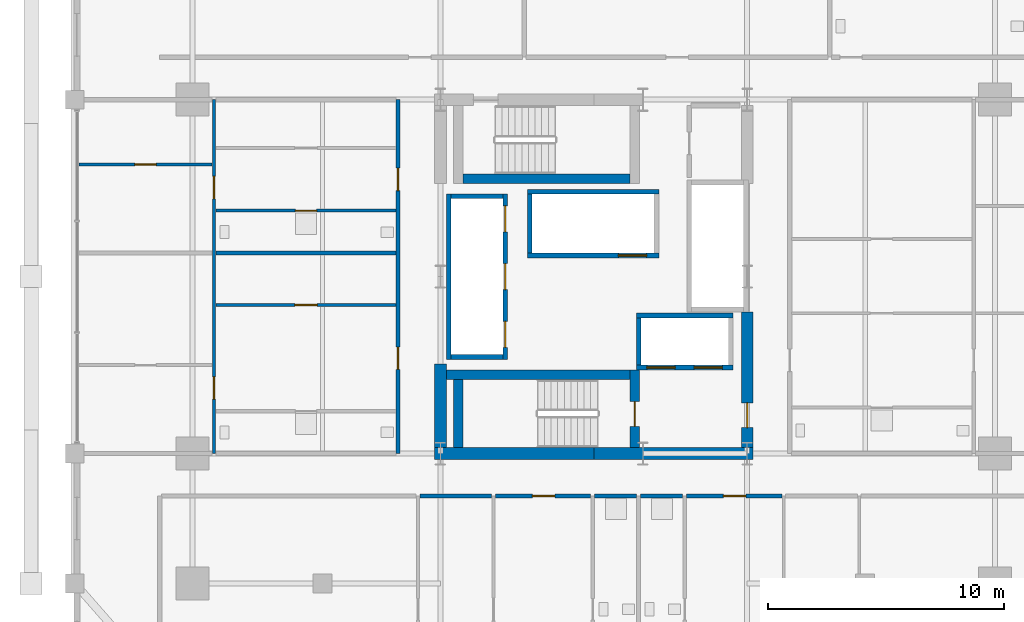
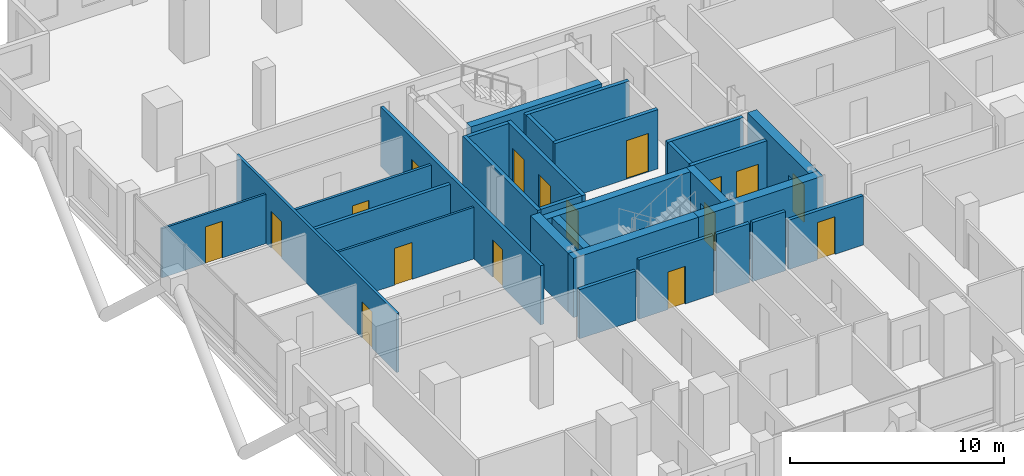
# One storey, part 18 of 23: 29 walls, 17 doors, 17 openings.
"""IFC4 building model written with IfcOpenShell, lengths in metres."""

from ifc_helpers import new_model, si_unit, direction, frame, frame_2d, origin, place, context, subcontext, project, spatial, rectangle, extrude, material, layer, layer_set, type_object, element, fill, save


model = new_model("IFC4")

# Units and contexts
model_context = context("Model", 3, precision=1e-05, world=origin(), true_north=direction((0.0, 1.0)))
body_context = subcontext(model_context, "Body", "Model", "MODEL_VIEW")
ifc_project = project(units=[si_unit("LENGTHUNIT", "METRE"), si_unit("AREAUNIT", "SQUARE_METRE"), si_unit("VOLUMEUNIT", "CUBIC_METRE"), si_unit("PLANEANGLEUNIT", "RADIAN"), si_unit("MASSUNIT", "GRAM", prefix="KILO")], contexts=[model_context])

# Site, building, storey
site_placement = place(None, origin())
site = spatial("IfcSite", under=ifc_project, at=site_placement, CompositionType="ELEMENT")
building_placement = place(site_placement, origin())
building = spatial("IfcBuilding", under=site, at=building_placement, Name="Barlavira Tower and Art Museum", CompositionType="ELEMENT")
storey_placement = place(building_placement, frame((0.0, 0.0, 36.0)))
storey = spatial("IfcBuildingStorey", under=building, at=storey_placement, Name="L07", CompositionType="ELEMENT", Elevation=36.0)

# Wall, opening, door
ifc_material_1 = material(Name="Gypsum acoustic stud partition", Category="gypsum")
ifc_layer_1 = layer(ifc_material_1, 0.1201171875, Name="Gypsum acoustic stud partition")
ifc_layer_set_1 = layer_set([ifc_layer_1], Name="Gypsum acoustic stud partition")
wall_type_1 = type_object("IfcWallType", Name="Apartment Internal Acoustic Partition 120", PredefinedType="PARTITIONING", material=ifc_layer_set_1)
wall_1_placement = place(storey_placement, frame((-16.02001953125, -1.199951171875, 0.0), z_axis=(0.0, 0.0, 1.0), x_axis=(1.0, 0.0, 0.0)))
wall_1 = element("IfcWall", 1, at=wall_1_placement, inside=storey, type_object=wall_type_1, Name="L07 Partition Wall 49", PredefinedType="PARTITIONING", context=body_context, shape_type="SweptSolid", body=[
    extrude(rectangle(XDim=7.64013671875, YDim=0.1201171875, at=frame_2d((3.820068359375, 0.0))), origin(), (0.0, 0.0, 1.0), 2.947998046875),
])
opening_1_placement = place(wall_1_placement, frame((3.344970703125, 0.0, 0.0)))
opening_1 = element("IfcOpeningElement", 2, at=opening_1_placement, cuts=wall_1, Name="Opening D-02", PredefinedType="OPENING", context=body_context, shape_type="SweptSolid", body=[
    extrude(rectangle(XDim=0.949951171875, YDim=2.10009765625, at=frame_2d((0.47509765625, 1.050048828125))), frame((0.0, 0.070068359375, 0.0), z_axis=(0.0, -1.0, 0.0), x_axis=(1.0, 0.0, 0.0)), (0.0, 0.0, 1.0), 0.14013671875),
])
ifc_material_2 = material(Name="Engineered coastal hardwood", Category="wood")
door_type_1 = type_object("IfcDoorType", Name="Living and Salon Glazed-Leaf Door 950x2100", OperationType="NOTDEFINED", PredefinedType="DOOR", material=ifc_material_2)
door_1_placement = place(opening_1_placement, origin())
door_1 = element("IfcDoor", 3, at=door_1_placement, inside=storey, type_object=door_type_1, Name="Apartment W1 Kitchen Door", OperationType="SINGLE_SWING_LEFT", OverallHeight=2.10009765625, OverallWidth=0.949951171875, PredefinedType="DOOR", context=body_context, shape_type="SweptSolid", body=[
    extrude(rectangle(XDim=0.949951171875, YDim=2.10009765625, at=frame_2d((0.47509765625, 1.050048828125))), frame((0.0, 0.02490234375, 0.0), z_axis=(0.0, -1.0, 0.0), x_axis=(1.0, 0.0, 0.0)), (0.0, 0.0, 1.0), 0.050048828125),
])
fill(opening_1, door_1)

wall_2_placement = place(storey_placement, frame((-21.820068359375, 4.75, 0.0), z_axis=(0.0, 0.0, 1.0), x_axis=(1.0, 0.0, 0.0)))
wall_2 = element("IfcWall", 4, at=wall_2_placement, inside=storey, type_object=wall_type_1, Name="L07 Partition Wall 55", PredefinedType="PARTITIONING", context=body_context, shape_type="SweptSolid", body=[
    extrude(rectangle(XDim=5.64013671875, YDim=0.1201171875, at=frame_2d((2.820068359375, 0.0))), origin(), (0.0, 0.0, 1.0), 2.81591796875),
])
opening_2_placement = place(wall_2_placement, frame((2.3701171875, 0.0, 0.0)))
opening_2 = element("IfcOpeningElement", 5, at=opening_2_placement, cuts=wall_2, Name="Opening D-01", PredefinedType="OPENING", context=body_context, shape_type="SweptSolid", body=[
    extrude(rectangle(XDim=0.89990234375, YDim=2.10009765625, at=frame_2d((0.449951171875, 1.050048828125))), frame((0.0, 0.070068359375, 0.0), z_axis=(0.0, -1.0, 0.0), x_axis=(1.0, 0.0, 0.0)), (0.0, 0.0, 1.0), 0.14013671875),
])
door_type_2 = type_object("IfcDoorType", Name="Internal Bedroom Timber Flush Door 900x2100", OperationType="NOTDEFINED", PredefinedType="DOOR", material=ifc_material_2)
door_2_placement = place(opening_2_placement, origin())
door_2 = element("IfcDoor", 6, at=door_2_placement, inside=storey, type_object=door_type_2, Name="Apartment W2 Bedroom 1 Door", OperationType="SINGLE_SWING_RIGHT", OverallHeight=2.10009765625, OverallWidth=0.89990234375, PredefinedType="DOOR", context=body_context, shape_type="SweptSolid", body=[
    extrude(rectangle(XDim=0.89990234375, YDim=2.10009765625, at=frame_2d((0.449951171875, 1.050048828125))), frame((0.0, 0.02490234375, 0.0), z_axis=(0.0, -1.0, 0.0), x_axis=(1.0, 0.0, 0.0)), (0.0, 0.0, 1.0), 0.050048828125),
])
fill(opening_2, door_2)

# Walls
ifc_material_3 = material(Name="Concrete C60", Category="concrete")
ifc_layer_2 = layer(ifc_material_3, 0.5, Name="Concrete C60")
ifc_layer_set_2 = layer_set([ifc_layer_2], Name="Concrete C60")
wall_type_2 = type_object("IfcWallType", Name="Core Structural Shear Wall 500 Concrete C60", PredefinedType="SHEAR", material=ifc_layer_set_2)
for number, where, z_axis, x_axis, name in (
    (7, (-6.75, -7.5, 0.0), (0.0, 0.0, 1.0), (1.0, 0.0, 0.0), "L07 Core Shear Wall CS-SW"),
    (8, (0.0, -7.5, 0.0), (0.0, 0.0, 1.0), (1.0, 0.0, 0.0), "L07 Core Shear Wall CS-SE"),
):
    element("IfcWall", number, at=place(storey_placement, frame(where, z_axis=z_axis, x_axis=x_axis)), inside=storey, type_object=wall_type_2, Name=name, PredefinedType="SHEAR", context=body_context, shape_type="SweptSolid", body=[
        extrude(rectangle(XDim=6.75, YDim=0.5, at=frame_2d((3.375, 0.0))), origin(), (0.0, 0.0, 1.0), 3.3798828125),
    ])
wall_3_placement = place(storey_placement, frame((-6.5, -7.25, 0.0), z_axis=(0.0, 0.0, 1.0), x_axis=(0.0, 1.0, 0.0)))
element("IfcWall", 9, at=wall_3_placement, inside=storey, type_object=wall_type_2, Name="L07 Core Shear Wall CS-W1", PredefinedType="SHEAR", context=body_context, shape_type="SweptSolid", body=[
    extrude(rectangle(XDim=3.550048828125, YDim=0.5, at=frame_2d((1.77490234375, 0.0))), origin(), (0.0, 0.0, 1.0), 3.3798828125),
])

# Wall, opening, door
wall_4_placement = place(storey_placement, frame((6.5, -7.25, 0.0), z_axis=(0.0, 0.0, 1.0), x_axis=(0.0, 1.0, 0.0)))
wall_4 = element("IfcWall", 10, at=wall_4_placement, inside=storey, type_object=wall_type_2, Name="L07 Core Shear Wall CS-E1", PredefinedType="SHEAR", context=body_context, shape_type="SweptSolid", body=[
    extrude(rectangle(XDim=5.75, YDim=0.5, at=frame_2d((2.875, 0.0))), origin(), (0.0, 0.0, 1.0), 3.3798828125),
])
opening_3_placement = place(wall_4_placement, frame((0.85009765625, 0.0, 0.0)))
opening_3 = element("IfcOpeningElement", 11, at=opening_3_placement, cuts=wall_4, Name="Opening FD-90", PredefinedType="OPENING", context=body_context, shape_type="SweptSolid", body=[
    extrude(rectangle(XDim=1.050048828125, YDim=2.14990234375, at=frame_2d((0.52490234375, 1.074951171875))), frame((0.0, 0.260009765625, 0.0), z_axis=(0.0, -1.0, 0.0), x_axis=(1.0, 0.0, 0.0)), (0.0, 0.0, 1.0), 0.52001953125),
])
ifc_material_4 = material(Name="Brushed stainless steel", Category="steel")
door_type_3 = type_object("IfcDoorType", Name="Stair and Refuge Fire Door 1050x2150 FD90S", OperationType="NOTDEFINED", PredefinedType="DOOR", material=ifc_material_4)
door_3_placement = place(opening_3_placement, origin())
door_3 = element("IfcDoor", 12, at=door_3_placement, inside=storey, type_object=door_type_3, Name="L07 Firefighting Lobby Entry Fire Door", OperationType="SINGLE_SWING_LEFT", OverallHeight=2.14990234375, OverallWidth=1.050048828125, PredefinedType="DOOR", context=body_context, shape_type="SweptSolid", body=[
    extrude(rectangle(XDim=1.050048828125, YDim=2.14990234375, at=frame_2d((0.52490234375, 1.074951171875))), frame((0.0, 0.02490234375, 0.0), z_axis=(0.0, -1.0, 0.0), x_axis=(1.0, 0.0, 0.0)), (0.0, 0.0, 1.0), 0.050048828125),
])
fill(opening_3, door_3)

# Wall, openings, doors
ifc_material_5 = material(Name="Autoclaved aerated concrete masonry", Category="masonry")
ifc_layer_3 = layer(ifc_material_5, 0.199951171875, Name="Autoclaved aerated concrete masonry")
ifc_layer_set_3 = layer_set([ifc_layer_3], Name="Autoclaved aerated concrete masonry")
wall_type_3 = type_object("IfcWallType", Name="Fire Compartment and Shaft Wall 200", PredefinedType="SOLIDWALL", material=ifc_layer_set_3)
wall_5_placement = place(storey_placement, frame((-3.75, -3.510009765625, 0.0), z_axis=(0.0, 0.0, 1.0), x_axis=(0.0, 1.0, 0.0)))
wall_5 = element("IfcWall", 13, at=wall_5_placement, inside=storey, type_object=wall_type_3, Name="L07 Low-Rise Lift Front Shaft Wall", PredefinedType="SOLIDWALL", context=body_context, shape_type="SweptSolid", body=[
    extrude(rectangle(XDim=7.02001953125, YDim=0.199951171875, at=frame_2d((3.510009765625, 0.0))), origin(), (0.0, 0.0, 1.0), 3.3798828125),
])
opening_4_placement = place(wall_5_placement, frame((0.510009765625, 0.0, 0.0)))
opening_4 = element("IfcOpeningElement", 14, at=opening_4_placement, cuts=wall_5, Name="Opening LD-P", PredefinedType="OPENING", context=body_context, shape_type="SweptSolid", body=[
    extrude(rectangle(XDim=1.10009765625, YDim=2.14990234375, at=frame_2d((0.550048828125, 1.074951171875))), frame((0.0, 0.10986328125, 0.0), z_axis=(0.0, -1.0, 0.0), x_axis=(1.0, 0.0, 0.0)), (0.0, 0.0, 1.0), 0.219970703125),
])
opening_5_placement = place(wall_5_placement, frame((2.9599609375, 0.0, 0.0)))
opening_5 = element("IfcOpeningElement", 15, at=opening_5_placement, cuts=wall_5, Name="Opening LD-P", PredefinedType="OPENING", context=body_context, shape_type="SweptSolid", body=[
    extrude(rectangle(XDim=1.10009765625, YDim=2.14990234375, at=frame_2d((0.550048828125, 1.074951171875))), frame((0.0, 0.10986328125, 0.0), z_axis=(0.0, -1.0, 0.0), x_axis=(1.0, 0.0, 0.0)), (0.0, 0.0, 1.0), 0.219970703125),
])
opening_6_placement = place(wall_5_placement, frame((5.409912109375, 0.0, 0.0)))
opening_6 = element("IfcOpeningElement", 16, at=opening_6_placement, cuts=wall_5, Name="Opening LD-P", PredefinedType="OPENING", context=body_context, shape_type="SweptSolid", body=[
    extrude(rectangle(XDim=1.10009765625, YDim=2.14990234375, at=frame_2d((0.550048828125, 1.074951171875))), frame((0.0, 0.10986328125, 0.0), z_axis=(0.0, -1.0, 0.0), x_axis=(1.0, 0.0, 0.0)), (0.0, 0.0, 1.0), 0.219970703125),
])
door_type_4 = type_object("IfcDoorType", Name="Passenger Lift Sliding Landing Door 1100x2150 FD60", OperationType="NOTDEFINED", PredefinedType="DOOR", material=ifc_material_4)
door_4_placement = place(opening_4_placement, origin())
door_4 = element("IfcDoor", 17, at=door_4_placement, inside=storey, type_object=door_type_4, Name="L07 Lift PL1 Sliding Landing Door", OperationType="DOUBLE_DOOR_SLIDING", OverallHeight=2.14990234375, OverallWidth=1.10009765625, PredefinedType="DOOR", context=body_context, shape_type="SweptSolid", body=[
    extrude(rectangle(XDim=1.10009765625, YDim=2.14990234375, at=frame_2d((0.550048828125, 1.074951171875))), frame((0.0, 0.02490234375, 0.0), z_axis=(0.0, -1.0, 0.0), x_axis=(1.0, 0.0, 0.0)), (0.0, 0.0, 1.0), 0.050048828125),
])
fill(opening_4, door_4)
door_5_placement = place(opening_5_placement, origin())
door_5 = element("IfcDoor", 18, at=door_5_placement, inside=storey, type_object=door_type_4, Name="L07 Lift PL2 Sliding Landing Door", OperationType="DOUBLE_DOOR_SLIDING", OverallHeight=2.14990234375, OverallWidth=1.10009765625, PredefinedType="DOOR", context=body_context, shape_type="SweptSolid", body=[
    extrude(rectangle(XDim=1.10009765625, YDim=2.14990234375, at=frame_2d((0.550048828125, 1.074951171875))), frame((0.0, 0.02490234375, 0.0), z_axis=(0.0, -1.0, 0.0), x_axis=(1.0, 0.0, 0.0)), (0.0, 0.0, 1.0), 0.050048828125),
])
fill(opening_5, door_5)
door_6_placement = place(opening_6_placement, origin())
door_6 = element("IfcDoor", 19, at=door_6_placement, inside=storey, type_object=door_type_4, Name="L07 Lift PL3 Sliding Landing Door", OperationType="DOUBLE_DOOR_SLIDING", OverallHeight=2.14990234375, OverallWidth=1.10009765625, PredefinedType="DOOR", context=body_context, shape_type="SweptSolid", body=[
    extrude(rectangle(XDim=1.10009765625, YDim=2.14990234375, at=frame_2d((0.550048828125, 1.074951171875))), frame((0.0, 0.02490234375, 0.0), z_axis=(0.0, -1.0, 0.0), x_axis=(1.0, 0.0, 0.0)), (0.0, 0.0, 1.0), 0.050048828125),
])
fill(opening_6, door_6)

# Walls
wall_6_placement = place(storey_placement, frame((-6.14990234375, -3.510009765625, 0.0), z_axis=(0.0, 0.0, 1.0), x_axis=(0.0, 1.0, 0.0)))
element("IfcWall", 20, at=wall_6_placement, inside=storey, type_object=wall_type_3, Name="L07 Low-Rise Lift Back Shaft Wall", PredefinedType="SOLIDWALL", context=body_context, shape_type="SweptSolid", body=[
    extrude(rectangle(XDim=7.02001953125, YDim=0.199951171875, at=frame_2d((3.510009765625, 0.0))), origin(), (0.0, 0.0, 1.0), 3.3798828125),
])
for number, where, z_axis, x_axis, name in (
    (21, (-6.050048828125, -3.409912109375, 0.0), (0.0, 0.0, 1.0), (1.0, 0.0, 0.0), "L07 Low-Rise Lift South Shaft Wall"),
    (22, (-6.050048828125, 3.409912109375, 0.0), (0.0, 0.0, 1.0), (1.0, 0.0, 0.0), "L07 Low-Rise Lift North Shaft Wall"),
):
    element("IfcWall", number, at=place(storey_placement, frame(where, z_axis=z_axis, x_axis=x_axis)), inside=storey, type_object=wall_type_3, Name=name, PredefinedType="SOLIDWALL", context=body_context, shape_type="SweptSolid", body=[
        extrude(rectangle(XDim=2.199951171875, YDim=0.199951171875, at=frame_2d((1.10009765625, 0.0))), origin(), (0.0, 0.0, 1.0), 3.3798828125),
    ])

# Wall, opening, door
wall_7_placement = place(storey_placement, frame((-2.820068359375, 0.89990234375, 0.0), z_axis=(0.0, 0.0, 1.0), x_axis=(1.0, 0.0, 0.0)))
wall_7 = element("IfcWall", 23, at=wall_7_placement, inside=storey, type_object=wall_type_3, Name="L07 High-Rise & Service Lift Front Wall", PredefinedType="SOLIDWALL", context=body_context, shape_type="SweptSolid", body=[
    extrude(rectangle(XDim=5.580078125, YDim=0.199951171875, at=frame_2d((2.7900390625, 0.0))), origin(), (0.0, 0.0, 1.0), 3.3798828125),
])
opening_7_placement = place(wall_7_placement, frame((3.860107421875, 0.0, 0.0)))
opening_7 = element("IfcOpeningElement", 24, at=opening_7_placement, cuts=wall_7, Name="Opening LD-F", PredefinedType="OPENING", context=body_context, shape_type="SweptSolid", body=[
    extrude(rectangle(XDim=1.199951171875, YDim=2.199951171875, at=frame_2d((0.60009765625, 1.10009765625))), frame((0.0, 0.10986328125, 0.0), z_axis=(0.0, -1.0, 0.0), x_axis=(1.0, 0.0, 0.0)), (0.0, 0.0, 1.0), 0.219970703125),
])
door_type_5 = type_object("IfcDoorType", Name="Firefighting and Service Lift Sliding Door 1200x2200 FD120", OperationType="NOTDEFINED", PredefinedType="DOOR", material=ifc_material_4)
door_7_placement = place(opening_7_placement, origin())
door_7 = element("IfcDoor", 25, at=door_7_placement, inside=storey, type_object=door_type_5, Name="L07 Stretcher Service Lift SL1 Sliding Door", OperationType="DOUBLE_DOOR_SLIDING", OverallHeight=2.199951171875, OverallWidth=1.199951171875, PredefinedType="DOOR", context=body_context, shape_type="SweptSolid", body=[
    extrude(rectangle(XDim=1.199951171875, YDim=2.199951171875, at=frame_2d((0.60009765625, 1.10009765625))), frame((0.0, 0.02490234375, 0.0), z_axis=(0.0, -1.0, 0.0), x_axis=(1.0, 0.0, 0.0)), (0.0, 0.0, 1.0), 0.050048828125),
])
fill(opening_7, door_7)

# Walls
wall_8_placement = place(storey_placement, frame((-2.820068359375, 3.60009765625, 0.0), z_axis=(0.0, 0.0, 1.0), x_axis=(1.0, 0.0, 0.0)))
element("IfcWall", 26, at=wall_8_placement, inside=storey, type_object=wall_type_3, Name="L07 High-Rise & Service Lift Back Wall", PredefinedType="SOLIDWALL", context=body_context, shape_type="SweptSolid", body=[
    extrude(rectangle(XDim=5.580078125, YDim=0.199951171875, at=frame_2d((2.7900390625, 0.0))), origin(), (0.0, 0.0, 1.0), 3.3798828125),
])
wall_9_placement = place(storey_placement, frame((-2.719970703125, 1.0, 0.0), z_axis=(0.0, 0.0, 1.0), x_axis=(0.0, 1.0, 0.0)))
element("IfcWall", 27, at=wall_9_placement, inside=storey, type_object=wall_type_3, Name="L07 High-Rise & Service Lift West Wall", PredefinedType="SOLIDWALL", context=body_context, shape_type="SweptSolid", body=[
    extrude(rectangle(XDim=2.5, YDim=0.199951171875, at=frame_2d((1.25, 0.0))), origin(), (0.0, 0.0, 1.0), 3.3798828125),
])

# Wall, openings, doors
wall_10_placement = place(storey_placement, frame((1.800048828125, -3.85009765625, 0.0), z_axis=(0.0, 0.0, 1.0), x_axis=(1.0, 0.0, 0.0)))
wall_10 = element("IfcWall", 28, at=wall_10_placement, inside=storey, type_object=wall_type_3, Name="L07 Firefighting Lift Front Shaft Wall", PredefinedType="SOLIDWALL", context=body_context, shape_type="SweptSolid", body=[
    extrude(rectangle(XDim=4.099853515625, YDim=0.199951171875, at=frame_2d((2.0498046875, 0.0))), origin(), (0.0, 0.0, 1.0), 3.3798828125),
])
opening_8_placement = place(wall_10_placement, frame((0.449951171875, 0.0, 0.0)))
opening_8 = element("IfcOpeningElement", 29, at=opening_8_placement, cuts=wall_10, Name="Opening LD-F", PredefinedType="OPENING", context=body_context, shape_type="SweptSolid", body=[
    extrude(rectangle(XDim=1.199951171875, YDim=2.199951171875, at=frame_2d((0.60009765625, 1.10009765625))), frame((0.0, 0.10986328125, 0.0), z_axis=(0.0, -1.0, 0.0), x_axis=(1.0, 0.0, 0.0)), (0.0, 0.0, 1.0), 0.219970703125),
])
opening_9_placement = place(wall_10_placement, frame((2.449951171875, 0.0, 0.0)))
opening_9 = element("IfcOpeningElement", 30, at=opening_9_placement, cuts=wall_10, Name="Opening LD-F", PredefinedType="OPENING", context=body_context, shape_type="SweptSolid", body=[
    extrude(rectangle(XDim=1.199951171875, YDim=2.199951171875, at=frame_2d((0.60009765625, 1.10009765625))), frame((0.0, 0.10986328125, 0.0), z_axis=(0.0, -1.0, 0.0), x_axis=(1.0, 0.0, 0.0)), (0.0, 0.0, 1.0), 0.219970703125),
])
door_8_placement = place(opening_8_placement, origin())
door_8 = element("IfcDoor", 31, at=door_8_placement, inside=storey, type_object=door_type_5, Name="L07 Firefighting Lift FF1 Sliding Door", OperationType="DOUBLE_DOOR_SLIDING", OverallHeight=2.199951171875, OverallWidth=1.199951171875, PredefinedType="DOOR", context=body_context, shape_type="SweptSolid", body=[
    extrude(rectangle(XDim=1.199951171875, YDim=2.199951171875, at=frame_2d((0.60009765625, 1.10009765625))), frame((0.0, 0.02490234375, 0.0), z_axis=(0.0, -1.0, 0.0), x_axis=(1.0, 0.0, 0.0)), (0.0, 0.0, 1.0), 0.050048828125),
])
fill(opening_8, door_8)
door_9_placement = place(opening_9_placement, origin())
door_9 = element("IfcDoor", 32, at=door_9_placement, inside=storey, type_object=door_type_5, Name="L07 Firefighting Lift FF2 Sliding Door", OperationType="DOUBLE_DOOR_SLIDING", OverallHeight=2.199951171875, OverallWidth=1.199951171875, PredefinedType="DOOR", context=body_context, shape_type="SweptSolid", body=[
    extrude(rectangle(XDim=1.199951171875, YDim=2.199951171875, at=frame_2d((0.60009765625, 1.10009765625))), frame((0.0, 0.02490234375, 0.0), z_axis=(0.0, -1.0, 0.0), x_axis=(1.0, 0.0, 0.0)), (0.0, 0.0, 1.0), 0.050048828125),
])
fill(opening_9, door_9)

# Walls
wall_11_placement = place(storey_placement, frame((1.800048828125, -1.64990234375, 0.0), z_axis=(0.0, 0.0, 1.0), x_axis=(1.0, 0.0, 0.0)))
element("IfcWall", 33, at=wall_11_placement, inside=storey, type_object=wall_type_3, Name="L07 Firefighting Lift Back Shaft Wall", PredefinedType="SOLIDWALL", context=body_context, shape_type="SweptSolid", body=[
    extrude(rectangle(XDim=4.099853515625, YDim=0.199951171875, at=frame_2d((2.0498046875, 0.0))), origin(), (0.0, 0.0, 1.0), 3.3798828125),
])
wall_12_placement = place(storey_placement, frame((1.89990234375, -3.75, 0.0), z_axis=(0.0, 0.0, 1.0), x_axis=(0.0, 1.0, 0.0)))
element("IfcWall", 34, at=wall_12_placement, inside=storey, type_object=wall_type_3, Name="L07 Firefighting Lift West Shaft Wall", PredefinedType="SOLIDWALL", context=body_context, shape_type="SweptSolid", body=[
    extrude(rectangle(XDim=2.0, YDim=0.199951171875, at=frame_2d((1.0, 0.0))), origin(), (0.0, 0.0, 1.0), 3.3798828125),
])

# Wall, openings, doors
ifc_layer_4 = layer(ifc_material_1, 0.179931640625, Name="Gypsum acoustic stud partition")
ifc_layer_set_4 = layer_set([ifc_layer_4], Name="Gypsum acoustic stud partition")
wall_type_4 = type_object("IfcWallType", Name="Inter-Tenancy Party Partition Wall 180", PredefinedType="PARTITIONING", material=ifc_layer_set_4)
wall_13_placement = place(storey_placement, frame((-8.300048828125, -7.5, 0.0), z_axis=(0.0, 0.0, 1.0), x_axis=(0.0, 1.0, 0.0)))
wall_13 = element("IfcWall", 35, at=wall_13_placement, inside=storey, type_object=wall_type_4, Name="L07 Partition Wall 5", PredefinedType="PARTITIONING", context=body_context, shape_type="SweptSolid", body=[
    extrude(rectangle(XDim=15.0, YDim=0.179931640625, at=frame_2d((7.5, 0.0))), origin(), (0.0, 0.0, 1.0), 3.3798828125),
])
opening_10_placement = place(wall_13_placement, frame((3.56494140625, 0.0, 0.0)))
opening_10 = element("IfcOpeningElement", 36, at=opening_10_placement, cuts=wall_13, Name="Opening FD-60", PredefinedType="OPENING", context=body_context, shape_type="SweptSolid", body=[
    extrude(rectangle(XDim=0.949951171875, YDim=2.14990234375, at=frame_2d((0.47509765625, 1.074951171875))), frame((0.0, 0.10009765625, 0.0), z_axis=(0.0, -1.0, 0.0), x_axis=(1.0, 0.0, 0.0)), (0.0, 0.0, 1.0), 0.199951171875),
])
opening_11_placement = place(wall_13_placement, frame((11.14501953125, 0.0, 0.0)))
opening_11 = element("IfcOpeningElement", 37, at=opening_11_placement, cuts=wall_13, Name="Opening FD-60", PredefinedType="OPENING", context=body_context, shape_type="SweptSolid", body=[
    extrude(rectangle(XDim=0.949951171875, YDim=2.14990234375, at=frame_2d((0.47509765625, 1.074951171875))), frame((0.0, 0.10009765625, 0.0), z_axis=(0.0, -1.0, 0.0), x_axis=(1.0, 0.0, 0.0)), (0.0, 0.0, 1.0), 0.199951171875),
])
door_type_6 = type_object("IfcDoorType", Name="Apartment Entrance and Riser Fire Door 950x2150 FD60S", OperationType="NOTDEFINED", PredefinedType="DOOR", material=ifc_material_4)
door_10_placement = place(opening_10_placement, origin())
door_10 = element("IfcDoor", 38, at=door_10_placement, inside=storey, type_object=door_type_6, Name="Apartment Entrance Hall W1 Door", OperationType="SINGLE_SWING_RIGHT", OverallHeight=2.14990234375, OverallWidth=0.949951171875, PredefinedType="DOOR", context=body_context, shape_type="SweptSolid", body=[
    extrude(rectangle(XDim=0.949951171875, YDim=2.14990234375, at=frame_2d((0.47509765625, 1.074951171875))), frame((0.0, 0.02490234375, 0.0), z_axis=(0.0, -1.0, 0.0), x_axis=(1.0, 0.0, 0.0)), (0.0, 0.0, 1.0), 0.050048828125),
])
fill(opening_10, door_10)
door_11_placement = place(opening_11_placement, origin())
door_11 = element("IfcDoor", 39, at=door_11_placement, inside=storey, type_object=door_type_6, Name="Apartment Entrance Hall W2 Door", OperationType="SINGLE_SWING_LEFT", OverallHeight=2.14990234375, OverallWidth=0.949951171875, PredefinedType="DOOR", context=body_context, shape_type="SweptSolid", body=[
    extrude(rectangle(XDim=0.949951171875, YDim=2.14990234375, at=frame_2d((0.47509765625, 1.074951171875))), frame((0.0, 0.02490234375, 0.0), z_axis=(0.0, -1.0, 0.0), x_axis=(1.0, 0.0, 0.0)), (0.0, 0.0, 1.0), 0.050048828125),
])
fill(opening_11, door_11)

# Wall
wall_14_placement = place(storey_placement, frame((-7.3701171875, -9.300048828125, 0.0), z_axis=(0.0, 0.0, 1.0), x_axis=(1.0, 0.0, 0.0)))
element("IfcWall", 40, at=wall_14_placement, inside=storey, type_object=wall_type_4, Name="L07 Partition Wall 33", PredefinedType="PARTITIONING", context=body_context, shape_type="SweptSolid", body=[
    extrude(rectangle(XDim=3.0400390625, YDim=0.179931640625, at=frame_2d((1.52001953125, 0.0))), origin(), (0.0, 0.0, 1.0), 2.81591796875),
])

# Wall, opening, door
wall_15_placement = place(storey_placement, frame((-4.169921875, -9.300048828125, 0.0), z_axis=(0.0, 0.0, 1.0), x_axis=(1.0, 0.0, 0.0)))
wall_15 = element("IfcWall", 41, at=wall_15_placement, inside=storey, type_object=wall_type_4, Name="L07 Partition Wall 34", PredefinedType="PARTITIONING", context=body_context, shape_type="SweptSolid", body=[
    extrude(rectangle(XDim=4.0400390625, YDim=0.179931640625, at=frame_2d((2.02001953125, 0.0))), origin(), (0.0, 0.0, 1.0), 3.3798828125),
])
opening_12_placement = place(wall_15_placement, frame((1.56494140625, 0.0, 0.0)))
opening_12 = element("IfcOpeningElement", 42, at=opening_12_placement, cuts=wall_15, Name="Opening FD-60", PredefinedType="OPENING", context=body_context, shape_type="SweptSolid", body=[
    extrude(rectangle(XDim=0.949951171875, YDim=2.14990234375, at=frame_2d((0.47509765625, 1.074951171875))), frame((0.0, 0.10009765625, 0.0), z_axis=(0.0, -1.0, 0.0), x_axis=(1.0, 0.0, 0.0)), (0.0, 0.0, 1.0), 0.199951171875),
])
door_12_placement = place(opening_12_placement, origin())
door_12 = element("IfcDoor", 43, at=door_12_placement, inside=storey, type_object=door_type_6, Name="Apartment Entrance Hall S1 Door", OperationType="SINGLE_SWING_LEFT", OverallHeight=2.14990234375, OverallWidth=0.949951171875, PredefinedType="DOOR", context=body_context, shape_type="SweptSolid", body=[
    extrude(rectangle(XDim=0.949951171875, YDim=2.14990234375, at=frame_2d((0.47509765625, 1.074951171875))), frame((0.0, 0.02490234375, 0.0), z_axis=(0.0, -1.0, 0.0), x_axis=(1.0, 0.0, 0.0)), (0.0, 0.0, 1.0), 0.050048828125),
])
fill(opening_12, door_12)

# Walls
for number, where, z_axis, x_axis, name in (
    (44, (0.030029296875, -9.300048828125, 0.0), (0.0, 0.0, 1.0), (1.0, 0.0, 0.0), "L07 Partition Wall 35"),
    (45, (1.97998046875, -9.300048828125, 0.0), (0.0, 0.0, 1.0), (1.0, 0.0, 0.0), "L07 Partition Wall 36"),
):
    element("IfcWall", number, at=place(storey_placement, frame(where, z_axis=z_axis, x_axis=x_axis)), inside=storey, type_object=wall_type_4, Name=name, PredefinedType="PARTITIONING", context=body_context, shape_type="SweptSolid", body=[
        extrude(rectangle(XDim=1.7900390625, YDim=0.179931640625, at=frame_2d((0.89501953125, 0.0))), origin(), (0.0, 0.0, 1.0), 3.3798828125),
    ])

# Wall, opening, door
wall_16_placement = place(storey_placement, frame((3.929931640625, -9.300048828125, 0.0), z_axis=(0.0, 0.0, 1.0), x_axis=(1.0, 0.0, 0.0)))
wall_16 = element("IfcWall", 46, at=wall_16_placement, inside=storey, type_object=wall_type_4, Name="L07 Partition Wall 37", PredefinedType="PARTITIONING", context=body_context, shape_type="SweptSolid", body=[
    extrude(rectangle(XDim=4.0400390625, YDim=0.179931640625, at=frame_2d((2.02001953125, 0.0))), origin(), (0.0, 0.0, 1.0), 2.81591796875),
])
opening_13_placement = place(wall_16_placement, frame((1.56494140625, 0.0, 0.0)))
opening_13 = element("IfcOpeningElement", 47, at=opening_13_placement, cuts=wall_16, Name="Opening FD-60", PredefinedType="OPENING", context=body_context, shape_type="SweptSolid", body=[
    extrude(rectangle(XDim=0.949951171875, YDim=2.14990234375, at=frame_2d((0.47509765625, 1.074951171875))), frame((0.0, 0.10009765625, 0.0), z_axis=(0.0, -1.0, 0.0), x_axis=(1.0, 0.0, 0.0)), (0.0, 0.0, 1.0), 0.199951171875),
])
door_13_placement = place(opening_13_placement, origin())
door_13 = element("IfcDoor", 48, at=door_13_placement, inside=storey, type_object=door_type_6, Name="Apartment Entrance Hall S2 Door", OperationType="SINGLE_SWING_LEFT", OverallHeight=2.14990234375, OverallWidth=0.949951171875, PredefinedType="DOOR", context=body_context, shape_type="SweptSolid", body=[
    extrude(rectangle(XDim=0.949951171875, YDim=2.14990234375, at=frame_2d((0.47509765625, 1.074951171875))), frame((0.0, 0.02490234375, 0.0), z_axis=(0.0, -1.0, 0.0), x_axis=(1.0, 0.0, 0.0)), (0.0, 0.0, 1.0), 0.050048828125),
])
fill(opening_13, door_13)

# Wall
wall_17_placement = place(storey_placement, frame((-16.02001953125, 1.0, 0.0), z_axis=(0.0, 0.0, 1.0), x_axis=(1.0, 0.0, 0.0)))
element("IfcWall", 49, at=wall_17_placement, inside=storey, type_object=wall_type_4, Name="L07 Partition Wall 51", PredefinedType="PARTITIONING", context=body_context, shape_type="SweptSolid", body=[
    extrude(rectangle(XDim=7.64013671875, YDim=0.179931640625, at=frame_2d((3.820068359375, 0.0))), origin(), (0.0, 0.0, 1.0), 2.947998046875),
])

# Wall, openings, doors
ifc_layer_5 = layer(ifc_material_1, 0.139892578125, Name="Gypsum acoustic stud partition")
ifc_layer_set_5 = layer_set([ifc_layer_5], Name="Gypsum acoustic stud partition")
wall_type_5 = type_object("IfcWallType", Name="Moisture-Resistant Bathroom Partition 140", PredefinedType="PARTITIONING", material=ifc_layer_set_5)
wall_18_placement = place(storey_placement, frame((-16.10009765625, -7.5, 0.0), z_axis=(0.0, 0.0, 1.0), x_axis=(0.0, 1.0, 0.0)))
wall_18 = element("IfcWall", 50, at=wall_18_placement, inside=storey, type_object=wall_type_5, Name="L07 Partition Wall 2", PredefinedType="PARTITIONING", context=body_context, shape_type="SweptSolid", body=[
    extrude(rectangle(XDim=15.0, YDim=0.139892578125, at=frame_2d((7.5, 0.0))), origin(), (0.0, 0.0, 1.0), 3.3798828125),
])
opening_14_placement = place(wall_18_placement, frame((2.304931640625, 0.0, 0.0)))
opening_14 = element("IfcOpeningElement", 51, at=opening_14_placement, cuts=wall_18, Name="Opening D-02", PredefinedType="OPENING", context=body_context, shape_type="SweptSolid", body=[
    extrude(rectangle(XDim=0.949951171875, YDim=2.10009765625, at=frame_2d((0.47509765625, 1.050048828125))), frame((0.0, 0.080078125, 0.0), z_axis=(0.0, -1.0, 0.0), x_axis=(1.0, 0.0, 0.0)), (0.0, 0.0, 1.0), 0.159912109375),
])
opening_15_placement = place(wall_18_placement, frame((10.794921875, 0.0, 0.0)))
opening_15 = element("IfcOpeningElement", 52, at=opening_15_placement, cuts=wall_18, Name="Opening D-02", PredefinedType="OPENING", context=body_context, shape_type="SweptSolid", body=[
    extrude(rectangle(XDim=0.949951171875, YDim=2.10009765625, at=frame_2d((0.47509765625, 1.050048828125))), frame((0.0, 0.080078125, 0.0), z_axis=(0.0, -1.0, 0.0), x_axis=(1.0, 0.0, 0.0)), (0.0, 0.0, 1.0), 0.159912109375),
])
door_14_placement = place(opening_14_placement, origin())
door_14 = element("IfcDoor", 53, at=door_14_placement, inside=storey, type_object=door_type_1, Name="Apartment W1 Living Lounge Door", OperationType="SINGLE_SWING_RIGHT", OverallHeight=2.10009765625, OverallWidth=0.949951171875, PredefinedType="DOOR", context=body_context, shape_type="SweptSolid", body=[
    extrude(rectangle(XDim=0.949951171875, YDim=2.10009765625, at=frame_2d((0.47509765625, 1.050048828125))), frame((0.0, 0.02490234375, 0.0), z_axis=(0.0, -1.0, 0.0), x_axis=(1.0, 0.0, 0.0)), (0.0, 0.0, 1.0), 0.050048828125),
])
fill(opening_14, door_14)
door_15_placement = place(opening_15_placement, origin())
door_15 = element("IfcDoor", 54, at=door_15_placement, inside=storey, type_object=door_type_1, Name="Apartment W2 Living Lounge Door", OperationType="SINGLE_SWING_LEFT", OverallHeight=2.10009765625, OverallWidth=0.949951171875, PredefinedType="DOOR", context=body_context, shape_type="SweptSolid", body=[
    extrude(rectangle(XDim=0.949951171875, YDim=2.10009765625, at=frame_2d((0.47509765625, 1.050048828125))), frame((0.0, 0.02490234375, 0.0), z_axis=(0.0, -1.0, 0.0), x_axis=(1.0, 0.0, 0.0)), (0.0, 0.0, 1.0), 0.050048828125),
])
fill(opening_15, door_15)

# Wall, opening, door
wall_19_placement = place(storey_placement, frame((-16.02001953125, 2.800048828125, 0.0), z_axis=(0.0, 0.0, 1.0), x_axis=(1.0, 0.0, 0.0)))
wall_19 = element("IfcWall", 55, at=wall_19_placement, inside=storey, type_object=wall_type_5, Name="L07 Partition Wall 53", PredefinedType="PARTITIONING", context=body_context, shape_type="SweptSolid", body=[
    extrude(rectangle(XDim=7.64013671875, YDim=0.139892578125, at=frame_2d((3.820068359375, 0.0))), origin(), (0.0, 0.0, 1.0), 2.947998046875),
])
opening_16_placement = place(wall_19_placement, frame((3.3701171875, 0.0, 0.0)))
opening_16 = element("IfcOpeningElement", 56, at=opening_16_placement, cuts=wall_19, Name="Opening D-WC", PredefinedType="OPENING", context=body_context, shape_type="SweptSolid", body=[
    extrude(rectangle(XDim=0.89990234375, YDim=2.10009765625, at=frame_2d((0.449951171875, 1.050048828125))), frame((0.0, 0.080078125, 0.0), z_axis=(0.0, -1.0, 0.0), x_axis=(1.0, 0.0, 0.0)), (0.0, 0.0, 1.0), 0.159912109375),
])
door_type_7 = type_object("IfcDoorType", Name="Accessible Bathroom Flush Door 900x2100", OperationType="NOTDEFINED", PredefinedType="DOOR", material=ifc_material_2)
door_16_placement = place(opening_16_placement, origin())
door_16 = element("IfcDoor", 57, at=door_16_placement, inside=storey, type_object=door_type_7, Name="Apartment W2 Hall Bathroom Door", OperationType="SINGLE_SWING_RIGHT", OverallHeight=2.10009765625, OverallWidth=0.89990234375, PredefinedType="DOOR", context=body_context, shape_type="SweptSolid", body=[
    extrude(rectangle(XDim=0.89990234375, YDim=2.10009765625, at=frame_2d((0.449951171875, 1.050048828125))), frame((0.0, 0.02490234375, 0.0), z_axis=(0.0, -1.0, 0.0), x_axis=(1.0, 0.0, 0.0)), (0.0, 0.0, 1.0), 0.050048828125),
])
fill(opening_16, door_16)

# Walls
ifc_material_6 = material(Name="Concrete C55", Category="concrete")
ifc_layer_6 = layer(ifc_material_6, 0.39990234375, Name="Concrete C55")
ifc_layer_set_6 = layer_set([ifc_layer_6], Name="Concrete C55")
wall_type_6 = type_object("IfcWallType", Name="Upper Core Shear Wall 400 Concrete C55", PredefinedType="SHEAR", material=ifc_layer_set_6)
wall_20_placement = place(storey_placement, frame((-5.75, -7.25, 0.0), z_axis=(0.0, 0.0, 1.0), x_axis=(0.0, 1.0, 0.0)))
element("IfcWall", 58, at=wall_20_placement, inside=storey, type_object=wall_type_6, Name="L07 ST-T1 West Half-Landing Wall", PredefinedType="SHEAR", context=body_context, shape_type="SweptSolid", body=[
    extrude(rectangle(XDim=2.89990234375, YDim=0.39990234375, at=frame_2d((1.449951171875, 0.0))), origin(), (0.0, 0.0, 1.0), 3.3798828125),
])
wall_21_placement = place(storey_placement, frame((-6.25, -4.14990234375, 0.0), z_axis=(0.0, 0.0, 1.0), x_axis=(1.0, 0.0, 0.0)))
element("IfcWall", 59, at=wall_21_placement, inside=storey, type_object=wall_type_6, Name="L07 ST-T1 North Shaft Wall", PredefinedType="SHEAR", context=body_context, shape_type="SweptSolid", body=[
    extrude(rectangle(XDim=7.780029296875, YDim=0.39990234375, at=frame_2d((3.89013671875, 0.0))), origin(), (0.0, 0.0, 1.0), 3.3798828125),
])

# Wall, opening, door
wall_22_placement = place(storey_placement, frame((1.72998046875, -7.25, 0.0), z_axis=(0.0, 0.0, 1.0), x_axis=(0.0, 1.0, 0.0)))
wall_22 = element("IfcWall", 60, at=wall_22_placement, inside=storey, type_object=wall_type_6, Name="L07 ST-T1 East Landing Wall", PredefinedType="SHEAR", context=body_context, shape_type="SweptSolid", body=[
    extrude(rectangle(XDim=3.300048828125, YDim=0.39990234375, at=frame_2d((1.64990234375, 0.0))), origin(), (0.0, 0.0, 1.0), 3.3798828125),
])
opening_17_placement = place(wall_22_placement, frame((0.89990234375, 0.0, 0.0)))
opening_17 = element("IfcOpeningElement", 61, at=opening_17_placement, cuts=wall_22, Name="Opening FD-90", PredefinedType="OPENING", context=body_context, shape_type="SweptSolid", body=[
    extrude(rectangle(XDim=1.050048828125, YDim=2.14990234375, at=frame_2d((0.52490234375, 1.074951171875))), frame((0.0, 0.2099609375, 0.0), z_axis=(0.0, -1.0, 0.0), x_axis=(1.0, 0.0, 0.0)), (0.0, 0.0, 1.0), 0.419921875),
])
door_17_placement = place(opening_17_placement, origin())
door_17 = element("IfcDoor", 62, at=door_17_placement, inside=storey, type_object=door_type_3, Name="L07 Stair ST-T1 Fire Door", OperationType="SINGLE_SWING_RIGHT", OverallHeight=2.14990234375, OverallWidth=1.050048828125, PredefinedType="DOOR", context=body_context, shape_type="SweptSolid", body=[
    extrude(rectangle(XDim=1.050048828125, YDim=2.14990234375, at=frame_2d((0.52490234375, 1.074951171875))), frame((0.0, 0.02490234375, 0.0), z_axis=(0.0, -1.0, 0.0), x_axis=(1.0, 0.0, 0.0)), (0.0, 0.0, 1.0), 0.050048828125),
])
fill(opening_17, door_17)

# Wall
wall_23_placement = place(storey_placement, frame((-5.550048828125, 4.14990234375, 0.0), z_axis=(0.0, 0.0, 1.0), x_axis=(1.0, 0.0, 0.0)))
element("IfcWall", 63, at=wall_23_placement, inside=storey, type_object=wall_type_6, Name="L07 ST-T2 South Shaft Wall", PredefinedType="SHEAR", context=body_context, shape_type="SweptSolid", body=[
    extrude(rectangle(XDim=7.080078125, YDim=0.39990234375, at=frame_2d((3.5400390625, 0.0))), origin(), (0.0, 0.0, 1.0), 3.3798828125),
])

save(model, "model.ifc")
